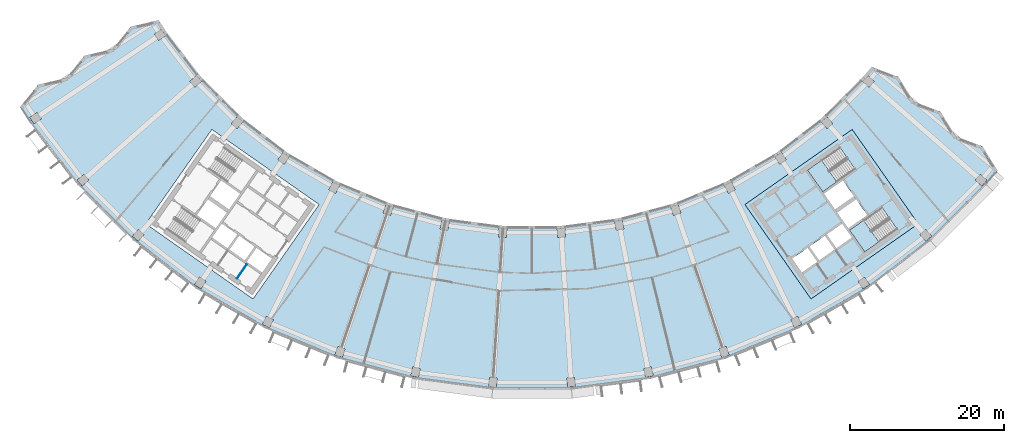
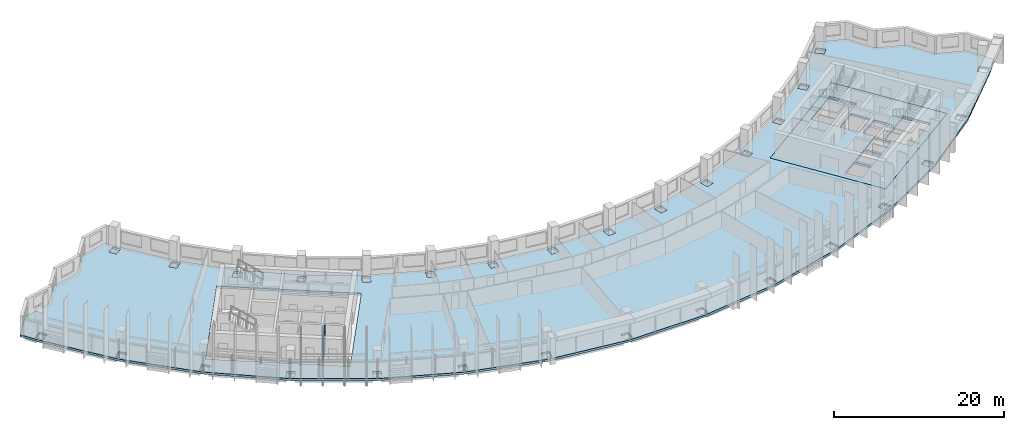
# One storey, part 2 of 28: 4 slabs, 1 wall, 2 elements without a shape of their own.
"""IFC4 building model written with IfcOpenShell, lengths in metres."""

from ifc_helpers import new_model, si_unit, direction, frame, frame_2d, origin, place, context, subcontext, project, spatial, polyline, rectangle, outline, extrude, material, layer, layer_set, type_object, element, aggregate, save


model = new_model("IFC4")

# Units and contexts
model_context = context("Model", 3, precision=1e-05, world=origin(), true_north=direction((0.0, 1.0)))
body_context = subcontext(model_context, "Body", "Model", "MODEL_VIEW")
ifc_project = project(units=[si_unit("LENGTHUNIT", "METRE"), si_unit("AREAUNIT", "SQUARE_METRE"), si_unit("VOLUMEUNIT", "CUBIC_METRE"), si_unit("PLANEANGLEUNIT", "RADIAN"), si_unit("MASSUNIT", "GRAM", prefix="KILO")], contexts=[model_context])

# Site, building, storey
site_placement = place(None, origin())
site = spatial("IfcSite", under=ifc_project, at=site_placement, CompositionType="ELEMENT")
building_placement = place(site_placement, origin())
building = spatial("IfcBuilding", under=site, at=building_placement, Name="Qamariyya Broadcast Tower", CompositionType="ELEMENT")
storey_placement = place(building_placement, frame((0.0, 0.0, 218.89990234375)))
storey = spatial("IfcBuildingStorey", under=building, at=storey_placement, Name="L52", CompositionType="ELEMENT", Elevation=218.89990234375)

# Slabs
ifc_material_1 = material(Name="Concrete C40/50", Category="concrete")
ifc_layer_1 = layer(ifc_material_1, 0.300048828125)
ifc_layer_set_1 = layer_set([ifc_layer_1], Name="Core floor slab 300 mm Concrete C40/50")
slab_type_1 = type_object("IfcSlabType", Name="Core floor slab 300 mm Concrete C40/50", PredefinedType="FLOOR", material=ifc_layer_set_1)
slab_1_placement = place(storey_placement, frame((0.0, 0.0, -0.2998046875)))
element("IfcSlab", 1, at=slab_1_placement, inside=storey, type_object=slab_type_1, Name="k-E-L52-slab", PredefinedType="FLOOR", context=body_context, shape_type="SweptSolid", body=[
    extrude(outline(polyline([(36.32373046875, -66.734375), (50.286376953125, -56.95751953125), (41.6826171875, -44.67041015625), (27.719970703125, -54.447021484375), (36.32373046875, -66.734375)]), holes=[polyline([(33.87353515625, -61.49169921875), (35.88037109375, -60.08642578125), (37.142333984375, -61.888427734375), (35.13525390625, -63.293701171875), (33.87353515625, -61.49169921875)]), polyline([(36.126220703125, -59.914306640625), (38.133056640625, -58.509033203125), (39.394775390625, -60.311279296875), (37.387939453125, -61.716552734375), (36.126220703125, -59.914306640625)]), polyline([(38.378662109375, -58.3369140625), (40.3857421875, -56.931640625), (41.6474609375, -58.73388671875), (39.640625, -60.13916015625), (38.378662109375, -58.3369140625)]), polyline([(39.742431640625, -55.489990234375), (42.199951171875, -53.769287109375), (43.6337890625, -55.817138671875), (41.17626953125, -57.537841796875), (39.742431640625, -55.489990234375)]), polyline([(39.45556640625, -55.080322265625), (41.9130859375, -53.359619140625), (40.47900390625, -51.311767578125), (38.021728515625, -53.032470703125), (39.45556640625, -55.080322265625)]), polyline([(40.082275390625, -47.01171875), (35.870849609375, -49.960693359375), (37.849609375, -52.78662109375), (42.06103515625, -49.837890625), (40.082275390625, -47.01171875)]), polyline([(45.559814453125, -54.834716796875), (41.348388671875, -57.783447265625), (43.3271484375, -60.609619140625), (47.538818359375, -57.66064453125), (45.559814453125, -54.834716796875)])]), origin(), (0.0, 0.0, 1.0), 0.2998046875),
])
ifc_layer_2 = layer(ifc_material_1, 0.300048828125)
ifc_layer_set_2 = layer_set([ifc_layer_2], Name="Post-tensioned floor slab 300 C40/50")
slab_type_2 = type_object("IfcSlabType", Name="Post-tensioned floor slab 300 C40/50", PredefinedType="FLOOR", material=ifc_layer_set_2)
slab_2_placement = place(storey_placement, frame((0.0, 0.0, -0.2998046875)))
element("IfcSlab", 2, at=slab_2_placement, inside=storey, type_object=slab_type_2, Name="Floor slab S4 L52", PredefinedType="FLOOR", context=body_context, shape_type="SweptSolid", body=[
    extrude(outline(polyline([(-64.2861328125, -38.82421875), (-66.666748046875, -41.72998046875), (-65.39501953125, -43.695556640625), (-59.132080078125, -51.857666015625), (-51.857666015625, -59.132080078125), (-43.695556640625, -65.39501953125), (-34.785888671875, -70.5390625), (-25.28125, -74.47607421875), (-15.34375, -77.138671875), (-5.14404296875, -78.481689453125), (5.14404296875, -78.481689453125), (15.34375, -77.138671875), (25.28125, -74.47607421875), (34.785888671875, -70.5390625), (43.695556640625, -65.39501953125), (51.857666015625, -59.132080078125), (59.132080078125, -51.857666015625), (60.6494140625, -50.07470703125), (58.66845703125, -46.883056640625), (55.17431640625, -45.55419921875), (53.192626953125, -42.362060546875), (49.699462890625, -41.03369140625), (47.716796875, -37.8408203125), (44.224365234375, -36.513427734375), (43.117919921875, -37.8134765625), (37.8134765625, -43.117919921875), (31.862060546875, -47.684814453125), (25.365234375, -51.435546875), (18.4345703125, -54.306396484375), (11.1884765625, -56.248046875), (3.7509765625, -57.227294921875), (-3.7509765625, -57.227294921875), (-11.1884765625, -56.248046875), (-18.4345703125, -54.306396484375), (-25.365234375, -51.435546875), (-31.862060546875, -47.684814453125), (-37.8134765625, -43.117919921875), (-43.117919921875, -37.8134765625), (-47.684814453125, -31.862060546875), (-48.612060546875, -30.4287109375), (-52.247802734375, -31.288818359375), (-54.630126953125, -34.19580078125), (-58.26708984375, -35.056396484375), (-60.6484375, -37.962890625), (-64.2861328125, -38.82421875)]), holes=[polyline([(-5.62158203125, -78.12451171875), (-5.54638671875, -76.97705078125), (-4.548583984375, -77.04248046875), (-4.623779296875, -78.18994140625), (-5.62158203125, -78.12451171875)]), polyline([(-15.770751953125, -76.722412109375), (-15.54638671875, -75.594482421875), (-14.565673828125, -75.78955078125), (-14.7900390625, -76.91748046875), (-15.770751953125, -76.722412109375)]), polyline([(-25.650146484375, -74.007568359375), (-25.280517578125, -72.918701171875), (-24.333740234375, -73.239990234375), (-24.703369140625, -74.3291015625), (-25.650146484375, -74.007568359375)]), polyline([(-35.090576171875, -70.0263671875), (-34.58203125, -68.9951171875), (-33.685302734375, -69.437255859375), (-34.19384765625, -70.46875), (-35.090576171875, -70.0263671875)]), polyline([(-43.9306640625, -64.84716796875), (-43.291748046875, -63.890869140625), (-42.46044921875, -64.446533203125), (-43.099365234375, -65.402587890625), (-43.9306640625, -64.84716796875)]), polyline([(-52.019287109375, -58.55810546875), (-51.260986328125, -57.693603515625), (-50.509033203125, -58.35302734375), (-51.267333984375, -59.217529296875), (-52.019287109375, -58.55810546875)]), polyline([(-11.966552734375, -57.59716796875), (-11.7421875, -56.46923828125), (-10.761474609375, -56.664306640625), (-10.98583984375, -57.792236328125), (-11.966552734375, -57.59716796875)]), polyline([(-50.286376953125, -56.95751953125), (-41.6826171875, -44.67041015625), (-27.719970703125, -54.447021484375), (-36.32373046875, -66.734375), (-50.286376953125, -56.95751953125)]), polyline([(-19.382080078125, -55.54248046875), (-19.012451171875, -54.453369140625), (-18.065673828125, -54.77490234375), (-18.435302734375, -55.86376953125), (-19.382080078125, -55.54248046875)]), polyline([(-26.466064453125, -52.537353515625), (-25.95751953125, -51.506103515625), (-25.060546875, -51.9482421875), (-25.569091796875, -52.979736328125), (-26.466064453125, -52.537353515625)]), polyline([(-59.217529296875, -51.267333984375), (-58.35302734375, -50.509033203125), (-57.693603515625, -51.260986328125), (-58.55810546875, -52.019287109375), (-59.217529296875, -51.267333984375)]), polyline([(-33.09716796875, -48.63330078125), (-32.458251953125, -47.67724609375), (-31.626708984375, -48.23291015625), (-32.265625, -49.18896484375), (-33.09716796875, -48.63330078125)]), polyline([(-39.161865234375, -43.897216796875), (-38.40380859375, -43.03271484375), (-37.65185546875, -43.692138671875), (-38.41015625, -44.556640625), (-39.161865234375, -43.897216796875)]), polyline([(-65.402587890625, -43.099365234375), (-64.446533203125, -42.46044921875), (-63.890869140625, -43.291748046875), (-64.84716796875, -43.9306640625), (-65.402587890625, -43.099365234375)]), polyline([(-44.556640625, -38.41015625), (-43.692138671875, -37.65185546875), (-43.03271484375, -38.40380859375), (-43.897216796875, -39.161865234375), (-44.556640625, -38.41015625)]), polyline([(-49.18896484375, -32.265625), (-48.23291015625, -31.626708984375), (-47.67724609375, -32.458251953125), (-48.63330078125, -33.09716796875), (-49.18896484375, -32.265625)]), polyline([(4.623779296875, -78.18994140625), (4.548583984375, -77.04248046875), (5.54638671875, -76.97705078125), (5.62158203125, -78.12451171875), (4.623779296875, -78.18994140625)]), polyline([(14.7900390625, -76.91748046875), (14.565673828125, -75.78955078125), (15.54638671875, -75.594482421875), (15.770751953125, -76.722412109375), (14.7900390625, -76.91748046875)]), polyline([(24.703369140625, -74.3291015625), (24.333740234375, -73.239990234375), (25.280517578125, -72.918701171875), (25.650146484375, -74.007568359375), (24.703369140625, -74.3291015625)]), polyline([(34.19384765625, -70.46875), (33.685302734375, -69.437255859375), (34.58203125, -68.9951171875), (35.090576171875, -70.0263671875), (34.19384765625, -70.46875)]), polyline([(43.099365234375, -65.402587890625), (42.46044921875, -64.446533203125), (43.291748046875, -63.890869140625), (43.9306640625, -64.84716796875), (43.099365234375, -65.402587890625)]), polyline([(51.267333984375, -59.217529296875), (50.509033203125, -58.35302734375), (51.260986328125, -57.693603515625), (52.019287109375, -58.55810546875), (51.267333984375, -59.217529296875)]), polyline([(-4.34619140625, -58.666259765625), (-4.27099609375, -57.518798828125), (-3.273193359375, -57.584228515625), (-3.348388671875, -58.731689453125), (-4.34619140625, -58.666259765625)]), polyline([(3.348388671875, -58.731689453125), (3.273193359375, -57.584228515625), (4.27099609375, -57.518798828125), (4.34619140625, -58.666259765625), (3.348388671875, -58.731689453125)]), polyline([(10.98583984375, -57.792236328125), (10.761474609375, -56.664306640625), (11.7421875, -56.46923828125), (11.966552734375, -57.59716796875), (10.98583984375, -57.792236328125)]), polyline([(36.32373046875, -66.734375), (27.719970703125, -54.447021484375), (41.6826171875, -44.67041015625), (50.286376953125, -56.95751953125), (36.32373046875, -66.734375)]), polyline([(18.435302734375, -55.86376953125), (18.065673828125, -54.77490234375), (19.012451171875, -54.453369140625), (19.382080078125, -55.54248046875), (18.435302734375, -55.86376953125)]), polyline([(25.569091796875, -52.979736328125), (25.060546875, -51.9482421875), (25.95751953125, -51.506103515625), (26.466064453125, -52.537353515625), (25.569091796875, -52.979736328125)]), polyline([(58.55810546875, -52.019287109375), (57.693603515625, -51.260986328125), (58.35302734375, -50.509033203125), (59.217529296875, -51.267333984375), (58.55810546875, -52.019287109375)]), polyline([(32.265625, -49.18896484375), (31.626708984375, -48.23291015625), (32.458251953125, -47.67724609375), (33.09716796875, -48.63330078125), (32.265625, -49.18896484375)]), polyline([(38.41015625, -44.556640625), (37.65185546875, -43.692138671875), (38.40380859375, -43.03271484375), (39.161865234375, -43.897216796875), (38.41015625, -44.556640625)]), polyline([(43.897216796875, -39.161865234375), (43.03271484375, -38.40380859375), (43.692138671875, -37.65185546875), (44.556640625, -38.41015625), (43.897216796875, -39.161865234375)])]), origin(), (0.0, 0.0, 1.0), 0.2998046875),
])

# Stair, slab
ifc_material_2 = material(Name="Concrete C50/60", Category="concrete")
stair_type = type_object("IfcStairType", Name="Exit stair 22 risers of 173 mm", PredefinedType="HALF_TURN_STAIR", material=ifc_material_2)
stair_1_placement = place(storey_placement, origin())
stair_1 = element("IfcStair", 3, at=stair_1_placement, inside=storey, type_object=stair_type, Name="L52 Stair E2", PredefinedType="HALF_TURN_STAIR")
ifc_layer_3 = layer(ifc_material_2, 0.199951171875)
ifc_layer_set_3 = layer_set([ifc_layer_3], Name="Stair landing")
slab_type_3 = type_object("IfcSlabType", Name="Stair landing", PredefinedType="LANDING", material=ifc_layer_set_3)
slab_3_placement = place(storey_placement, frame((0.0, 0.0, 1.7001953125)))
slab_3 = element("IfcSlab", 4, at=slab_3_placement, type_object=slab_type_3, Name="ST-E2 landing 1", PredefinedType="LANDING", context=body_context, shape_type="SweptSolid", body=[
    extrude(outline(polyline([(37.71337890625, -48.67041015625), (35.870849609375, -49.960693359375), (37.849609375, -52.78662109375), (39.692138671875, -51.49658203125), (37.71337890625, -48.67041015625)])), origin(), (0.0, 0.0, 1.0), 0.199951171875),
])
aggregate(stair_1, [slab_3])

stair_2_placement = place(storey_placement, origin())
stair_2 = element("IfcStair", 5, at=stair_2_placement, inside=storey, type_object=stair_type, Name="L52 Stair E1", PredefinedType="HALF_TURN_STAIR")
slab_4_placement = place(storey_placement, frame((0.0, 0.0, 1.7001953125)))
slab_4 = element("IfcSlab", 6, at=slab_4_placement, type_object=slab_type_3, Name="ST-E1 landing 1", PredefinedType="LANDING", context=body_context, shape_type="SweptSolid", body=[
    extrude(outline(polyline([(43.19091796875, -56.493408203125), (41.348388671875, -57.783447265625), (43.3271484375, -60.609619140625), (45.169677734375, -59.319580078125), (43.19091796875, -56.493408203125)])), origin(), (0.0, 0.0, 1.0), 0.199951171875),
])
aggregate(stair_2, [slab_4])

# Wall
ifc_material_3 = material(Name="Fire-rated gypsum shaft liner on steel studs", Category="steel")
ifc_layer_4 = layer(ifc_material_3, 0.10009765625)
ifc_layer_set_4 = layer_set([ifc_layer_4], Name="Riser wall 100 mm")
wall_type = type_object("IfcWallType", Name="Riser wall 100 mm", PredefinedType="PLUMBINGWALL", material=ifc_layer_set_4)
wall_placement = place(storey_placement, frame((-37.150390625, -62.2490234375, 0.0), z_axis=(0.0, 0.0, 1.0), x_axis=(-0.573633636671, -0.819111989218, 0.0)))
element("IfcWall", 7, at=wall_placement, inside=storey, type_object=wall_type, Name="k-W-L52-SP225", PredefinedType="PLUMBINGWALL", context=body_context, shape_type="SweptSolid", body=[
    extrude(rectangle(XDim=2.199951171875, YDim=0.10009765625, at=frame_2d((1.10009765625, 0.0))), origin(), (0.0, 0.0, 1.0), 3.5),
])

save(model, "model.ifc")
